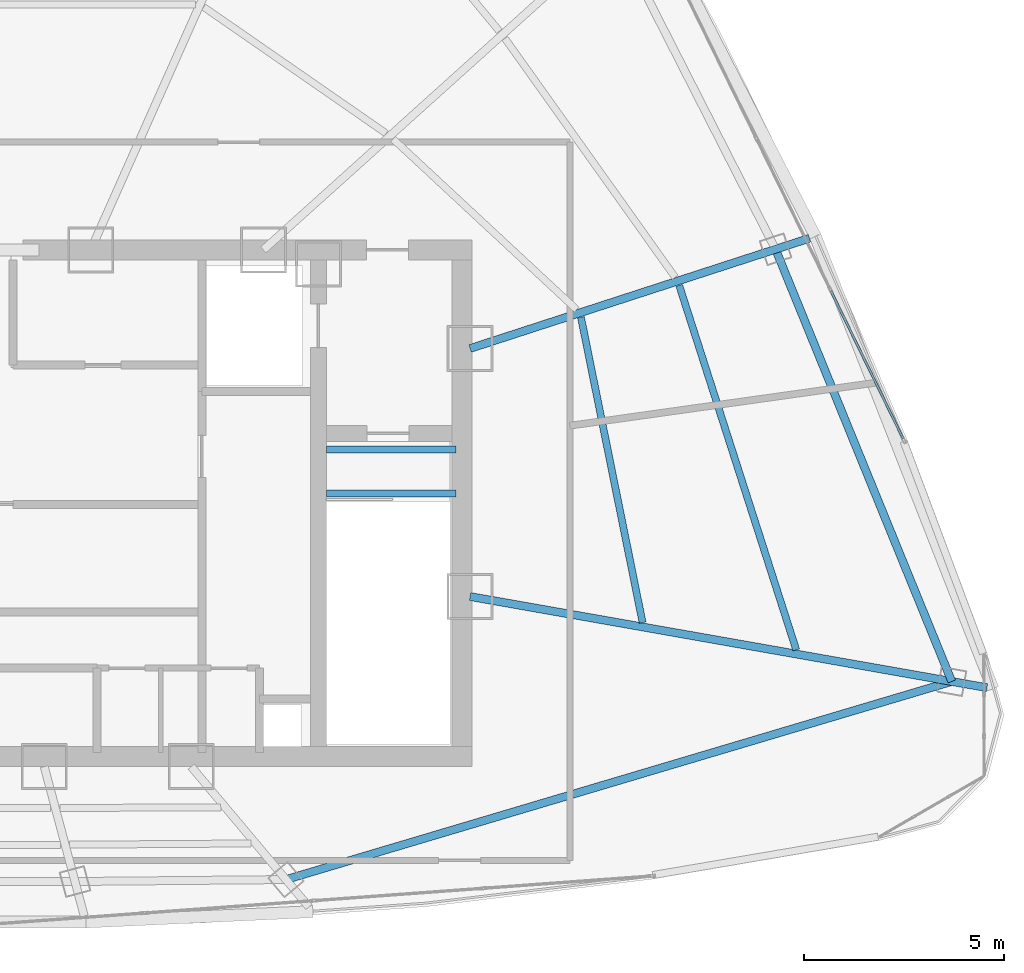
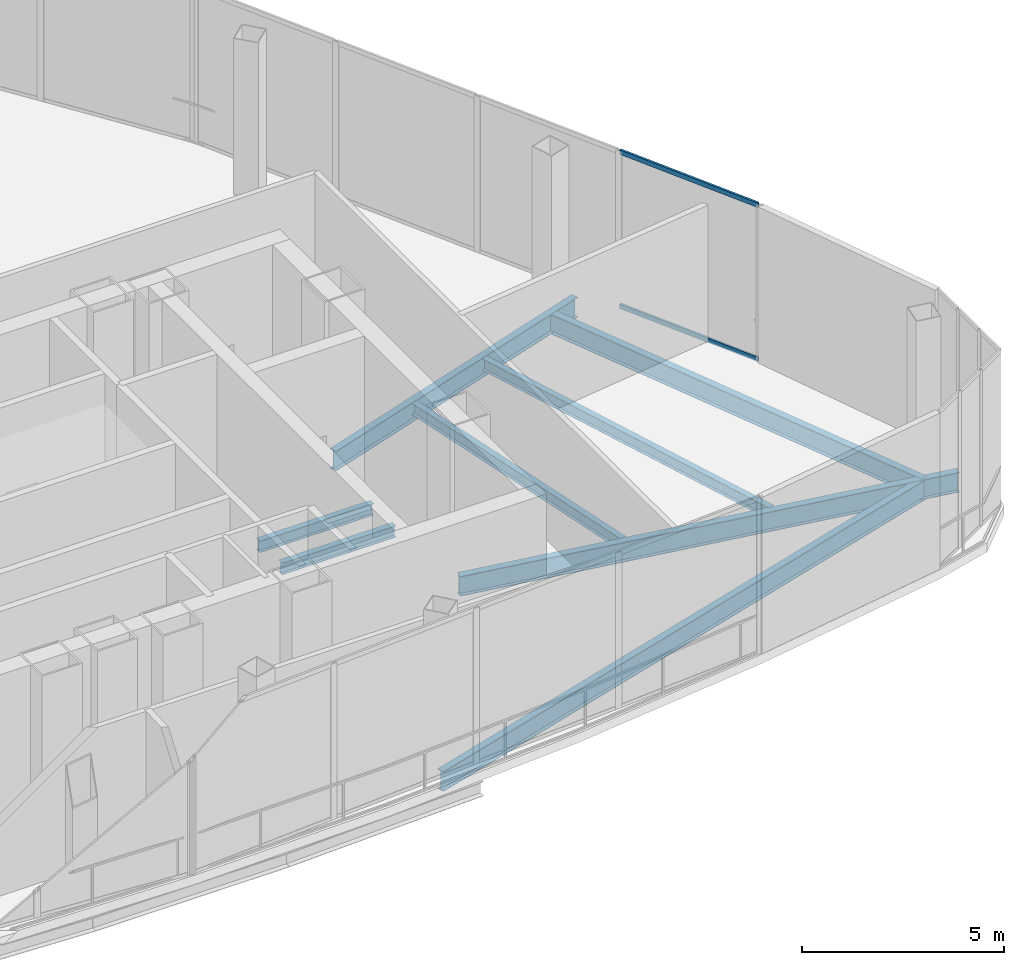
# One storey, part 15 of 32: 8 beams, 2 members, 1 element without a shape of its own.
"""IFC4 building model written with IfcOpenShell, lengths in metres."""

from ifc_helpers import new_model, si_unit, direction, frame, origin, origin_2d, place, context, subcontext, project, spatial, hollow_rectangle, i_section, extrude, source, transform, mapped, material, layer, layer_set, material_profile, profile_set, type_object, element, aggregate, save


model = new_model("IFC4")

# Units and contexts
model_context = context("Model", 3, precision=1e-05, world=origin(), true_north=direction((0.0, 1.0)))
body_context = subcontext(model_context, "Body", "Model", "MODEL_VIEW")
ifc_project = project(units=[si_unit("LENGTHUNIT", "METRE"), si_unit("AREAUNIT", "SQUARE_METRE"), si_unit("VOLUMEUNIT", "CUBIC_METRE"), si_unit("PLANEANGLEUNIT", "RADIAN"), si_unit("MASSUNIT", "GRAM", prefix="KILO"), si_unit("THERMODYNAMICTEMPERATUREUNIT", "KELVIN"), si_unit("POWERUNIT", "WATT")], contexts=[model_context])

# Site, building, storey
site_placement = place(None, origin())
site = spatial("IfcSite", under=ifc_project, at=site_placement, CompositionType="ELEMENT")
building_placement = place(site_placement, origin())
building = spatial("IfcBuilding", under=site, at=building_placement, Name="Yunzhuo Pagoda Commons", CompositionType="ELEMENT")
storey_placement = place(building_placement, frame((0.0, 0.0, 396.760009765625)))
storey = spatial("IfcBuildingStorey", under=building, at=storey_placement, Name="L98", CompositionType="ELEMENT", Elevation=396.760009765625)

# Beams
ifc_material_1 = material(Name="Structural steel Q355B", Category="steel")
ifc_material_profile_1 = material_profile(ifc_material_1, i_section(OverallWidth=0.175048828125, OverallDepth=0.35009765625, WebThickness=0.007080078125, FlangeThickness=0.010986328125, at=origin_2d()), Name="Structural steel Q355B")
ifc_profile_set_1 = profile_set([ifc_material_profile_1], Name="Structural steel Q355B")
beam_type_1 = type_object("IfcBeamType", Name="B-JS2 Joist HN 350x175x7x11", PredefinedType="JOIST", material=ifc_profile_set_1)
shared_shape_1 = source(origin(), body_context, "Body", "SweptSolid", [
    extrude(i_section(OverallWidth=0.175048828125, OverallDepth=0.35009765625, WebThickness=0.007080078125, FlangeThickness=0.010986328125, at=origin_2d()), origin(), (0.0, 0.0, 1.0), 3.25),
])
for number, where, z_axis, x_axis, name in (
    (1, (56.800048828125, 34.10009765625, -0.375), (1.0, 0.0, 0.0), (0.0, 1.0, 0.0), "L98 ST2 landing support beam 202A"),
    (2, (56.800048828125, 35.199951171875, -0.375), (1.0, 0.0, 0.0), (0.0, 1.0, 0.0), "L98 ST2 landing support beam 202B"),
):
    element("IfcBeam", number, at=place(storey_placement, frame(where, z_axis=z_axis, x_axis=x_axis)), inside=storey, type_object=beam_type_1, Name=name, PredefinedType="JOIST", context=body_context, shape_type="MappedRepresentation", body=[
        mapped(shared_shape_1, transform((0.0, 0.0, 0.0), scale=1.0)),
    ])
ifc_material_profile_2 = material_profile(ifc_material_1, i_section(OverallWidth=0.199951171875, OverallDepth=0.60009765625, WebThickness=0.010986328125, FlangeThickness=0.01708984375, at=origin_2d()), Name="Structural steel Q355B")
ifc_profile_set_2 = profile_set([ifc_material_profile_2], Name="Structural steel Q355B")
beam_type_2 = type_object("IfcBeamType", Name="B-RG3 Beam HN 600x200x11x17", PredefinedType="BEAM", material=ifc_profile_set_2)
shared_shape_2 = source(origin(), body_context, "Body", "SweptSolid", [
    extrude(i_section(OverallWidth=0.199951171875, OverallDepth=0.60009765625, WebThickness=0.010986328125, FlangeThickness=0.01708984375, at=origin_2d()), origin(), (0.0, 0.0, 1.0), 17.407470703125),
])
beam_1_placement = place(storey_placement, frame((55.785400390625, 24.421630859375, -0.580078125), z_axis=(0.958484984609, 0.285143006717, 0.0), x_axis=(-0.285143006717, 0.958484984609, 0.0)))
element("IfcBeam", 3, at=beam_1_placement, inside=storey, type_object=beam_type_2, Name="L98 column-ring beam 4", PredefinedType="BEAM", context=body_context, shape_type="MappedRepresentation", body=[
    mapped(shared_shape_2, transform((0.0, 0.0, 0.0), scale=1.0)),
])
shared_shape_3 = source(origin(), body_context, "Body", "SweptSolid", [
    extrude(i_section(OverallWidth=0.199951171875, OverallDepth=0.60009765625, WebThickness=0.010986328125, FlangeThickness=0.01708984375, at=origin_2d()), origin(), (0.0, 0.0, 1.0), 11.696533203125),
])
beam_2_placement = place(storey_placement, frame((72.47021484375, 29.38525390625, -0.580078125), z_axis=(-0.377611800863, 0.925963999219, 0.0), x_axis=(-0.925963999219, -0.377611800863, 0.0)))
element("IfcBeam", 4, at=beam_2_placement, inside=storey, type_object=beam_type_2, Name="L98 column-ring beam 5", PredefinedType="BEAM", context=body_context, shape_type="MappedRepresentation", body=[
    mapped(shared_shape_3, transform((0.0, 0.0, 0.0), scale=1.0)),
])
shared_shape_4 = source(origin(), body_context, "Body", "SweptSolid", [
    extrude(i_section(OverallWidth=0.175048828125, OverallDepth=0.35009765625, WebThickness=0.007080078125, FlangeThickness=0.010986328125, at=origin_2d()), origin(), (0.0, 0.0, 1.0), 7.8056640625),
])
beam_3_placement = place(storey_placement, frame((64.722412109375, 30.860107421875, -0.455078125), z_axis=(-0.197830082137, 0.980236327934, 0.0), x_axis=(-0.980236327934, -0.197830082137, 0.0)))
element("IfcBeam", 5, at=beam_3_placement, inside=storey, type_object=beam_type_1, Name="L98 composite ring joist 1.5", PredefinedType="JOIST", context=body_context, shape_type="MappedRepresentation", body=[
    mapped(shared_shape_4, transform((0.0, 0.0, 0.0), scale=1.0)),
])
shared_shape_5 = source(origin(), body_context, "Body", "SweptSolid", [
    extrude(i_section(OverallWidth=0.175048828125, OverallDepth=0.35009765625, WebThickness=0.007080078125, FlangeThickness=0.010986328125, at=origin_2d()), origin(), (0.0, 0.0, 1.0), 9.593994140625),
])
beam_4_placement = place(storey_placement, frame((68.572509765625, 30.17578125, -0.455078125), z_axis=(-0.305719218499, 0.952121714614, 0.0), x_axis=(-0.952121714614, -0.305719218499, 0.0)))
element("IfcBeam", 6, at=beam_4_placement, inside=storey, type_object=beam_type_1, Name="L98 composite ring joist 2.5", PredefinedType="JOIST", context=body_context, shape_type="MappedRepresentation", body=[
    mapped(shared_shape_5, transform((0.0, 0.0, 0.0), scale=1.0)),
])
shared_shape_6 = source(origin(), body_context, "Body", "SweptSolid", [
    extrude(i_section(OverallWidth=0.199951171875, OverallDepth=0.60009765625, WebThickness=0.010986328125, FlangeThickness=0.01708984375, at=origin_2d()), origin(), (0.0, 0.0, 1.0), 13.151611328125),
])
beam_5_placement = place(storey_placement, frame((73.351806640625, 29.229736328125, -0.580078125), z_axis=(-0.98480877727, 0.173642368713, 0.0), x_axis=(-0.173642368713, -0.98480877727, 0.0)))
element("IfcBeam", 7, at=beam_5_placement, inside=storey, type_object=beam_type_2, Name="L98 radial floor girder F2C1", PredefinedType="BEAM", context=body_context, shape_type="MappedRepresentation", body=[
    mapped(shared_shape_6, transform((0.0, 0.0, 0.0), scale=1.0)),
])
shared_shape_7 = source(origin(), body_context, "Body", "SweptSolid", [
    extrude(i_section(OverallWidth=0.199951171875, OverallDepth=0.60009765625, WebThickness=0.010986328125, FlangeThickness=0.01708984375, at=origin_2d()), origin(), (0.0, 0.0, 1.0), 8.942626953125),
])
beam_6_placement = place(storey_placement, frame((68.90478515625, 40.492431640625, -0.580078125), z_axis=(-0.951055734301, -0.309019401095, 0.0), x_axis=(0.309019401095, -0.951055734301, 0.0)))
element("IfcBeam", 8, at=beam_6_placement, inside=storey, type_object=beam_type_2, Name="L98 radial floor girder F2C2", PredefinedType="BEAM", context=body_context, shape_type="MappedRepresentation", body=[
    mapped(shared_shape_7, transform((0.0, 0.0, 0.0), scale=1.0)),
])

# Curtain wall, members
ifc_material_2 = material(Name="Anodized aluminium 6063-T6", Category="aluminium")
ifc_layer = layer(ifc_material_2, 0.179931640625)
ifc_layer_set = layer_set([ifc_layer], Name="Anodized aluminium 6063-T6")
curtain_wall_type = type_object("IfcCurtainWallType", Name="CW-CRN Crown Gable Glazing System", PredefinedType="NOTDEFINED", material=ifc_layer_set)
curtain_wall_placement = place(storey_placement, origin())
curtain_wall = element("IfcCurtainWall", 9, at=curtain_wall_placement, inside=storey, type_object=curtain_wall_type, Name="L98 curtain wall CW-L98-CRNF2G1", PredefinedType="NOTDEFINED")
ifc_material_profile_3 = material_profile(ifc_material_2, hollow_rectangle(XDim=0.06005859375, YDim=0.139892578125, WallThickness=0.00341796875, at=origin_2d()), Name="Anodized aluminium 6063-T6")
ifc_profile_set_3 = profile_set([ifc_material_profile_3], Name="Anodized aluminium 6063-T6")
member_type = type_object("IfcMemberType", Name="CW-CRN-T Transom RHS 140x60x3.5", PredefinedType="USERDEFINED", material=ifc_profile_set_3)
shared_shape_8 = source(origin(), body_context, "Body", "SweptSolid", [
    extrude(hollow_rectangle(XDim=0.06005859375, YDim=0.139892578125, WallThickness=0.00341796875, at=origin_2d()), origin(), (0.0, 0.0, 1.0), 4.12548828125),
])
member_1_placement = place(storey_placement, frame((71.2529296875, 35.467529296875, 0.030029296875), z_axis=(-0.439456356664, 0.898263942607, 0.0), x_axis=(-0.898263942607, -0.439456356664, 0.0)))
member_1 = element("IfcMember", 10, at=member_1_placement, type_object=member_type, Name="CW transom 1.1", ObjectType="TRANSOM", PredefinedType="USERDEFINED", context=body_context, shape_type="MappedRepresentation", body=[
    mapped(shared_shape_8, transform((0.0, 0.0, 0.0), scale=1.0)),
])
member_2_placement = place(storey_placement, frame((71.2529296875, 35.467529296875, 4.68994140625), z_axis=(-0.439456356664, 0.898263942607, 0.0), x_axis=(-0.898263942607, -0.439456356664, 0.0)))
member_2 = element("IfcMember", 11, at=member_2_placement, type_object=member_type, Name="CW transom 1.2", ObjectType="TRANSOM", PredefinedType="USERDEFINED", context=body_context, shape_type="MappedRepresentation", body=[
    mapped(shared_shape_8, transform((0.0, 0.0, 0.0), scale=1.0)),
])
aggregate(curtain_wall, [member_1, member_2])

save(model, "model.ifc")
